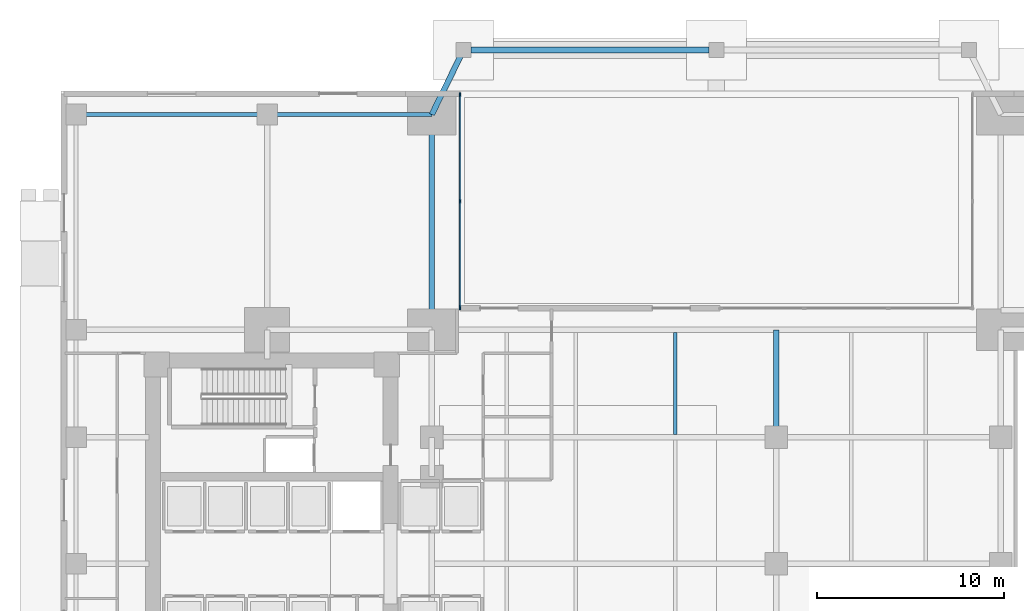
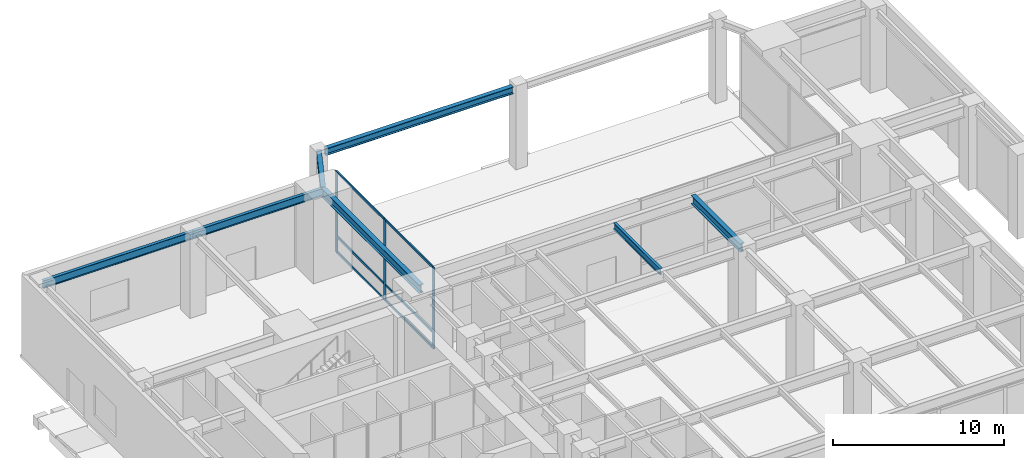
# One storey, part 6 of 17: 9 members, 7 beams, 1 element without a shape of its own.
"""IFC4 building model written with IfcOpenShell, lengths in metres."""

import ifcopenshell
import ifcopenshell.guid

model = None  # the IFC model being written
_history = None  # IfcOwnerHistory: only IFC2X3 demands one
_inside = {}  # id of a spatial element -> (the spatial element, [elements in it])
_under = {}  # id of a project, library or spatial element -> (it, [spatial elements below it])
_declared = {}  # id of a project -> (the project, [libraries it declares])
_typed = {}  # id of a type object -> (the type object, [elements of that type])
_made_of = {}  # id of a material, layer set ... -> (it, [elements and type objects made of it])


def new_model(schema):
    """Start an empty IFC model of exactly this schema.

    Asked for "IFC4X3", IfcOpenShell would pick the latest addendum, in which some entities
    have other attributes; the version numbers below select the first issue.
    IFC2X3 requires an IfcOwnerHistory on every rooted entity: one is made here for all.
    """
    global model, _history
    if schema == "IFC4X3":
        model = ifcopenshell.file(schema_version=(4, 3, 0, 0))
    else:
        model = ifcopenshell.file(schema=schema)
    _inside.clear()
    _under.clear()
    _declared.clear()
    _typed.clear()
    _made_of.clear()
    _history = None
    if model.schema == "IFC2X3":
        org = make("IfcOrganization", Name="unknown")
        user = make(
            "IfcPersonAndOrganization",
            ThePerson=make("IfcPerson", FamilyName="unknown"),
            TheOrganization=org,
        )
        app = make(
            "IfcApplication",
            ApplicationDeveloper=org,
            Version="unknown",
            ApplicationFullName="unknown",
            ApplicationIdentifier="unknown",
        )
        _history = make(
            "IfcOwnerHistory",
            OwningUser=user,
            OwningApplication=app,
            ChangeAction="ADDED",
            CreationDate=0,
        )
    return model


def make(cls, **values):
    """One entity of the class cls with the attributes given. An attribute that is None is left unset."""
    return model.create_entity(
        cls, **{name: value for name, value in values.items() if value is not None}
    )


def rooted(cls, **values):
    """An entity with a GlobalId (a new one), such as an element, a storey or a relation."""
    return make(cls, GlobalId=ifcopenshell.guid.new(), OwnerHistory=_history, **values)


def si_unit(unit_type, name, prefix=None):
    """IfcSIUnit, for example si_unit("LENGTHUNIT", "METRE", prefix="MILLI")."""
    return make("IfcSIUnit", UnitType=unit_type, Prefix=prefix, Name=name)


def assignment(units):
    """IfcUnitAssignment: the units of a project."""
    return None if units is None else make("IfcUnitAssignment", Units=units)


def point(xyz):
    """IfcCartesianPoint."""
    return None if xyz is None else make("IfcCartesianPoint", Coordinates=xyz)


def direction(xyz):
    """IfcDirection."""
    return None if xyz is None else make("IfcDirection", DirectionRatios=xyz)


def frame(location, z_axis=None, x_axis=None):
    """IfcAxis2Placement3D, a coordinate frame: its origin and axes. An axis left out is left unset."""
    return make(
        "IfcAxis2Placement3D",
        Location=point(location),
        Axis=direction(z_axis),
        RefDirection=direction(x_axis),
    )


def frame_2d(location, x_axis=None):
    """IfcAxis2Placement2D, a coordinate frame in the plane: its origin and x axis."""
    return make(
        "IfcAxis2Placement2D", Location=point(location), RefDirection=direction(x_axis)
    )


def origin():
    """The frame at (0, 0, 0) with its axes left unset."""
    return frame((0.0, 0.0, 0.0))


def origin_2d():
    """The frame at (0, 0) in the plane with its x axis left unset."""
    return frame_2d((0.0, 0.0))


def place(relative_to, where):
    """IfcLocalPlacement: puts the frame where relative to a parent placement (None: the world)."""
    return make(
        "IfcLocalPlacement", PlacementRelTo=relative_to, RelativePlacement=where
    )


def context(
    kind, dimensions, precision=None, world=None, true_north=None, identifier=None
):
    """IfcGeometricRepresentationContext, for example the 3D "Model" context."""
    return make(
        "IfcGeometricRepresentationContext",
        ContextIdentifier=identifier,
        ContextType=kind,
        CoordinateSpaceDimension=dimensions,
        Precision=precision,
        WorldCoordinateSystem=world,
        TrueNorth=true_north,
    )


def subcontext(parent, identifier, kind, view, scale=None):
    """IfcGeometricRepresentationSubContext, for example "Body" below "Model"."""
    return make(
        "IfcGeometricRepresentationSubContext",
        ContextIdentifier=identifier,
        ContextType=kind,
        ParentContext=parent,
        TargetScale=scale,
        TargetView=view,
    )


def project(units=None, contexts=None):
    """IfcProject with its units and contexts."""
    return rooted(
        "IfcProject",
        Name="project",
        RepresentationContexts=contexts,
        UnitsInContext=assignment(units),
    )


def spatial(cls, under=None, at=None, **own):
    """A site, building, storey or space (cls), placed at a placement, below another one or the project."""
    s = rooted(cls, ObjectPlacement=at, **own)
    if under is not None:
        _under.setdefault(under.id(), (under, []))[1].append(s)
    return s


def profile(cls, at=None, kind="AREA", **sizes):
    """A parametric profile (cls). Its sizes go by their IFC names, for example OverallWidth=200.0."""
    return make(cls, ProfileType=kind, Position=at, **sizes)


def rectangle(**sizes):
    """IfcRectangleProfileDef."""
    return profile("IfcRectangleProfileDef", **sizes)


def i_section(**sizes):
    """IfcIShapeProfileDef."""
    return profile("IfcIShapeProfileDef", **sizes)


def extrude(swept, where, along, depth):
    """IfcExtrudedAreaSolid: the profile swept, set in the frame where, extruded along a direction by depth."""
    return make(
        "IfcExtrudedAreaSolid",
        SweptArea=swept,
        Position=where,
        ExtrudedDirection=direction(along),
        Depth=depth,
    )


def shape(context_of_items, identifier, shape_type, items):
    """IfcShapeRepresentation: the items that make up one representation, for example the "Body"."""
    return make(
        "IfcShapeRepresentation",
        ContextOfItems=context_of_items,
        RepresentationIdentifier=identifier,
        RepresentationType=shape_type,
        Items=items,
    )


def material(Name=None, Category=None):
    """IfcMaterial."""
    return make("IfcMaterial", Name=Name, Category=Category)


def layer(
    of_material, thickness, ventilated=None, Name=None, Category=None, Priority=None
):
    """IfcMaterialLayer: one layer of a wall or slab, of a material (None: an air gap)."""
    return make(
        "IfcMaterialLayer",
        Material=of_material,
        LayerThickness=thickness,
        IsVentilated=ventilated,
        Name=Name,
        Category=Category,
        Priority=Priority,
    )


def layer_set(layers, Name=None):
    """IfcMaterialLayerSet."""
    return make("IfcMaterialLayerSet", MaterialLayers=layers, LayerSetName=Name)


def material_profile(
    of_material, cross_section, Name=None, Category=None, Priority=None
):
    """IfcMaterialProfile: a cross section and its material."""
    return make(
        "IfcMaterialProfile",
        Name=Name,
        Material=of_material,
        Profile=cross_section,
        Priority=Priority,
        Category=Category,
    )


def profile_set(profiles, Name=None, composite=None):
    """IfcMaterialProfileSet."""
    return make(
        "IfcMaterialProfileSet",
        Name=Name,
        MaterialProfiles=profiles,
        CompositeProfile=composite,
    )


def made_of(thing, what):
    """Note that an element or type object is made of a material, layer set ...; save() writes the relation."""
    if what is not None:
        _made_of.setdefault(what.id(), (what, []))[1].append(thing)
    return thing


def type_object(cls, material=None, **own):
    """A type object (cls), such as IfcWallType, which elements share."""
    return made_of(rooted(cls, **own), material)


def element(
    cls,
    number,
    at=None,
    inside=None,
    cuts=None,
    type_object=None,
    material=None,
    context=None,
    identifier="Body",
    shape_type=None,
    held_by="IfcProductDefinitionShape",
    body=None,
    shapes=None,
    **own,
):
    """One element of the class cls, such as IfcWall. Its Tag is "e" and its number.

    at: its placement. inside: the storey or other place that contains it. cuts: it is an
    opening in that element (IfcRelVoidsElement). A single representation is given by context,
    identifier, shape_type and body (its items); several are given by shapes. held_by: the class
    of the entity that holds the representations. save() writes the other relations.
    """
    e = rooted(cls, Tag="e%d" % number, ObjectPlacement=at, **own)
    if body is not None:
        shapes = [shape(context, identifier, shape_type, body)]
    if shapes is not None:
        e.Representation = make(held_by, Representations=shapes)
    if inside is not None:
        _inside.setdefault(inside.id(), (inside, []))[1].append(e)
    if cuts is not None:
        rooted(
            "IfcRelVoidsElement", RelatingBuildingElement=cuts, RelatedOpeningElement=e
        )
    if type_object is not None:
        _typed.setdefault(type_object.id(), (type_object, []))[1].append(e)
    return made_of(e, material)


def aggregate(whole, parts):
    """IfcRelAggregates: a whole, such as a stair, and the parts it consists of."""
    return rooted("IfcRelAggregates", RelatingObject=whole, RelatedObjects=parts)


def save(model, path):
    """Write the relations noted so far, then the file.

    IfcRelAggregates (storeys below a building ...), IfcRelContainedInSpatialStructure (elements
    in a storey), IfcRelDefinesByType, IfcRelAssociatesMaterial and IfcRelDeclares: one each for
    every whole, place, type object, material and project.
    """
    for whole, parts in _under.values():
        aggregate(whole, parts)
    for where, things in _inside.values():
        rooted(
            "IfcRelContainedInSpatialStructure",
            RelatedElements=things,
            RelatingStructure=where,
        )
    for kind, things in _typed.values():
        rooted("IfcRelDefinesByType", RelatedObjects=things, RelatingType=kind)
    for what, things in _made_of.values():
        rooted("IfcRelAssociatesMaterial", RelatedObjects=things, RelatingMaterial=what)
    for by, libraries in _declared.values():
        rooted("IfcRelDeclares", RelatingContext=by, RelatedDefinitions=libraries)
    model.write(path)


model = new_model("IFC4")

# Units and contexts
model_context = context("Model", 3, precision=1e-05, world=origin(), true_north=direction((0.0, 1.0)))
body_context = subcontext(model_context, "Body", "Model", "MODEL_VIEW")
ifc_project = project(units=[si_unit("LENGTHUNIT", "METRE"), si_unit("AREAUNIT", "SQUARE_METRE"), si_unit("VOLUMEUNIT", "CUBIC_METRE"), si_unit("PLANEANGLEUNIT", "RADIAN"), si_unit("MASSUNIT", "GRAM", prefix="KILO")], contexts=[model_context])

# Site, building, storey
site_placement = place(None, origin())
site = spatial("IfcSite", under=ifc_project, at=site_placement, CompositionType="ELEMENT")
building_placement = place(site_placement, origin())
building = spatial("IfcBuilding", under=site, at=building_placement, Name="Kinhvarn Gate Tower", CompositionType="ELEMENT")
storey_placement = place(building_placement, origin())
storey = spatial("IfcBuildingStorey", under=building, at=storey_placement, Name="L00", CompositionType="ELEMENT", Elevation=0.0)

# Curtain wall, members
ifc_material_1 = material(Name="Anodised aluminium AW-6063", Category="aluminium")
ifc_layer = layer(ifc_material_1, 0.219970703125)
ifc_layer_set = layer_set([ifc_layer], Name="Anodised aluminium AW-6063")
curtain_wall_type = type_object("IfcCurtainWallType", Name="CW-SYS-1", PredefinedType="NOTDEFINED", material=ifc_layer_set)
curtain_wall_placement = place(storey_placement, origin())
curtain_wall = element("IfcCurtainWall", 1, at=curtain_wall_placement, inside=storey, type_object=curtain_wall_type, Name="Curtain Wall CW1 (L00)", PredefinedType="NOTDEFINED")
ifc_material_profile_1 = material_profile(ifc_material_1, rectangle(XDim=0.080078125, YDim=0.219970703125, at=origin_2d()), Name="ALU 80x220")
ifc_profile_set_1 = profile_set([ifc_material_profile_1], Name="Anodised aluminium AW-6063")
member_type_1 = type_object("IfcMemberType", Name="CW-MUL-220", PredefinedType="MULLION", material=ifc_profile_set_1)
member_1_placement = place(storey_placement, frame((21.31005859375, 38.93994140625, 0.0), z_axis=(0.0, 0.0, 1.0), x_axis=(-1.0, 0.0, 0.0)))
member_1 = element("IfcMember", 2, at=member_1_placement, type_object=member_type_1, Name="CW1 mullion 1", PredefinedType="MULLION", context=body_context, shape_type="SweptSolid", body=[
    extrude(rectangle(XDim=0.080078125, YDim=0.219970703125, at=origin_2d()), origin(), (0.0, 0.0, 1.0), 5.800048828125),
])
member_2_placement = place(storey_placement, frame((21.31005859375, 44.625, 0.0), z_axis=(0.0, 0.0, 1.0), x_axis=(-1.0, 0.0, 0.0)))
member_2 = element("IfcMember", 3, at=member_2_placement, type_object=member_type_1, Name="CW1 mullion 2", PredefinedType="MULLION", context=body_context, shape_type="SweptSolid", body=[
    extrude(rectangle(XDim=0.080078125, YDim=0.219970703125, at=origin_2d()), origin(), (0.0, 0.0, 1.0), 5.800048828125),
])
member_3_placement = place(storey_placement, frame((21.31005859375, 50.31005859375, 0.0), z_axis=(0.0, 0.0, 1.0), x_axis=(-1.0, 0.0, 0.0)))
member_3 = element("IfcMember", 4, at=member_3_placement, type_object=member_type_1, Name="CW1 mullion 3", PredefinedType="MULLION", context=body_context, shape_type="SweptSolid", body=[
    extrude(rectangle(XDim=0.080078125, YDim=0.219970703125, at=origin_2d()), origin(), (0.0, 0.0, 1.0), 5.800048828125),
])
ifc_material_profile_2 = material_profile(ifc_material_1, rectangle(XDim=0.080078125, YDim=0.159912109375, at=origin_2d()), Name="ALU 80x160")
ifc_profile_set_2 = profile_set([ifc_material_profile_2], Name="Anodised aluminium AW-6063")
member_type_2 = type_object("IfcMemberType", Name="CW-TRN-160", PredefinedType="USERDEFINED", material=ifc_profile_set_2)
member_4_placement = place(storey_placement, frame((21.31005859375, 38.97998046875, 0.0400390625), z_axis=(0.0, 1.0, 0.0), x_axis=(-1.0, 0.0, 0.0)))
member_4 = element("IfcMember", 5, at=member_4_placement, type_object=member_type_2, Name="CW1 transom 1.1", ObjectType="TRANSOM", PredefinedType="USERDEFINED", context=body_context, shape_type="SweptSolid", body=[
    extrude(rectangle(XDim=0.080078125, YDim=0.159912109375, at=origin_2d()), origin(), (0.0, 0.0, 1.0), 5.60498046875),
])
member_5_placement = place(storey_placement, frame((21.31005859375, 38.97998046875, 1.14990234375), z_axis=(0.0, 1.0, 0.0), x_axis=(-1.0, 0.0, 0.0)))
member_5 = element("IfcMember", 6, at=member_5_placement, type_object=member_type_2, Name="CW1 transom 1.2", ObjectType="TRANSOM", PredefinedType="USERDEFINED", context=body_context, shape_type="SweptSolid", body=[
    extrude(rectangle(XDim=0.080078125, YDim=0.159912109375, at=origin_2d()), origin(), (0.0, 0.0, 1.0), 5.60498046875),
])
member_6_placement = place(storey_placement, frame((21.31005859375, 38.97998046875, 5.760009765625), z_axis=(0.0, 1.0, 0.0), x_axis=(-1.0, 0.0, 0.0)))
member_6 = element("IfcMember", 7, at=member_6_placement, type_object=member_type_2, Name="CW1 transom 1.3", ObjectType="TRANSOM", PredefinedType="USERDEFINED", context=body_context, shape_type="SweptSolid", body=[
    extrude(rectangle(XDim=0.080078125, YDim=0.159912109375, at=origin_2d()), origin(), (0.0, 0.0, 1.0), 5.60498046875),
])
member_7_placement = place(storey_placement, frame((21.31005859375, 44.6650390625, 0.0400390625), z_axis=(0.0, 1.0, 0.0), x_axis=(-1.0, 0.0, 0.0)))
member_7 = element("IfcMember", 8, at=member_7_placement, type_object=member_type_2, Name="CW1 transom 2.1", ObjectType="TRANSOM", PredefinedType="USERDEFINED", context=body_context, shape_type="SweptSolid", body=[
    extrude(rectangle(XDim=0.080078125, YDim=0.159912109375, at=origin_2d()), origin(), (0.0, 0.0, 1.0), 5.60498046875),
])
member_8_placement = place(storey_placement, frame((21.31005859375, 44.6650390625, 1.14990234375), z_axis=(0.0, 1.0, 0.0), x_axis=(-1.0, 0.0, 0.0)))
member_8 = element("IfcMember", 9, at=member_8_placement, type_object=member_type_2, Name="CW1 transom 2.2", ObjectType="TRANSOM", PredefinedType="USERDEFINED", context=body_context, shape_type="SweptSolid", body=[
    extrude(rectangle(XDim=0.080078125, YDim=0.159912109375, at=origin_2d()), origin(), (0.0, 0.0, 1.0), 5.60498046875),
])
member_9_placement = place(storey_placement, frame((21.31005859375, 44.6650390625, 5.760009765625), z_axis=(0.0, 1.0, 0.0), x_axis=(-1.0, 0.0, 0.0)))
member_9 = element("IfcMember", 10, at=member_9_placement, type_object=member_type_2, Name="CW1 transom 2.3", ObjectType="TRANSOM", PredefinedType="USERDEFINED", context=body_context, shape_type="SweptSolid", body=[
    extrude(rectangle(XDim=0.080078125, YDim=0.159912109375, at=origin_2d()), origin(), (0.0, 0.0, 1.0), 5.60498046875),
])
aggregate(curtain_wall, [member_1, member_2, member_3, member_4, member_5, member_6, member_7, member_8, member_9])

# Beams
ifc_material_2 = material(Name="Steel S355", Category="steel")
ifc_material_profile_3 = material_profile(ifc_material_2, i_section(OverallWidth=0.300048828125, OverallDepth=0.5, WebThickness=0.014404296875, FlangeThickness=0.028076171875, at=origin_2d()), Name="HEB 500")
ifc_profile_set_3 = profile_set([ifc_material_profile_3], Name="Steel S355")
beam_type_1 = type_object("IfcBeamType", Name="STL-HEB500", PredefinedType="BEAM", material=ifc_profile_set_3)
beam_1_placement = place(storey_placement, frame((21.89990234375, 52.699951171875, 5.550048828125), z_axis=(1.0, 0.0, 0.0), x_axis=(0.0, 1.0, 0.0)))
element("IfcBeam", 11, at=beam_1_placement, inside=storey, type_object=beam_type_1, Name="Portico Canopy Front Girder N-1", PredefinedType="BEAM", context=body_context, shape_type="SweptSolid", body=[
    extrude(i_section(OverallWidth=0.300048828125, OverallDepth=0.5, WebThickness=0.014404296875, FlangeThickness=0.028076171875, at=origin_2d()), origin(), (0.0, 0.0, 1.0), 12.7001953125),
])
beam_2_placement = place(storey_placement, frame((21.5, 52.699951171875, 5.550048828125), z_axis=(-0.442000785414, -0.897014663031, 0.0), x_axis=(0.897014663031, -0.442000785414, 0.0)))
element("IfcBeam", 12, at=beam_2_placement, inside=storey, type_object=beam_type_1, Name="Portico Canopy West Tie Girder N", PredefinedType="BEAM", context=body_context, shape_type="SweptSolid", body=[
    extrude(i_section(OverallWidth=0.300048828125, OverallDepth=0.5, WebThickness=0.014404296875, FlangeThickness=0.028076171875, at=origin_2d()), origin(), (0.0, 0.0, 1.0), 3.845947265625),
])
ifc_material_profile_4 = material_profile(ifc_material_2, i_section(OverallWidth=0.300048828125, OverallDepth=0.60009765625, WebThickness=0.015380859375, FlangeThickness=0.030029296875, at=origin_2d()), Name="HEB 600")
ifc_profile_set_4 = profile_set([ifc_material_profile_4], Name="Steel S355")
beam_type_2 = type_object("IfcBeamType", Name="STL-HEB600", PredefinedType="BEAM", material=ifc_profile_set_4)
beam_3_placement = place(storey_placement, frame((19.800048828125, 37.75, 5.5), z_axis=(0.0, 1.0, 0.0), x_axis=(-1.0, 0.0, 0.0)))
element("IfcBeam", 13, at=beam_3_placement, inside=storey, type_object=beam_type_2, Name="Floor Beam PG-16 (L00 APW-7)", PredefinedType="BEAM", context=body_context, shape_type="SweptSolid", body=[
    extrude(i_section(OverallWidth=0.300048828125, OverallDepth=0.60009765625, WebThickness=0.015380859375, FlangeThickness=0.030029296875, at=origin_2d()), origin(), (0.0, 0.0, 1.0), 11.5),
])
beam_4_placement = place(storey_placement, frame((38.199951171875, 32.0, 5.5), z_axis=(0.0, 1.0, 0.0), x_axis=(-1.0, 0.0, 0.0)))
element("IfcBeam", 14, at=beam_4_placement, inside=storey, type_object=beam_type_2, Name="Floor Beam PG-16 (L00 POD-NS38-32)", PredefinedType="BEAM", context=body_context, shape_type="SweptSolid", body=[
    extrude(i_section(OverallWidth=0.300048828125, OverallDepth=0.60009765625, WebThickness=0.015380859375, FlangeThickness=0.030029296875, at=origin_2d()), origin(), (0.0, 0.0, 1.0), 5.75),
])
ifc_material_profile_5 = material_profile(ifc_material_2, i_section(OverallWidth=0.18994140625, OverallDepth=0.449951171875, WebThickness=0.009521484375, FlangeThickness=0.0146484375, at=origin_2d()), Name="IPE 450")
ifc_profile_set_5 = profile_set([ifc_material_profile_5], Name="Steel S355")
beam_type_3 = type_object("IfcBeamType", Name="STL-IPE450", PredefinedType="JOIST", material=ifc_profile_set_5)
beam_5_placement = place(storey_placement, frame((32.800048828125, 32.14990234375, 5.574951171875), z_axis=(0.0, 1.0, 0.0), x_axis=(-1.0, 0.0, 0.0)))
element("IfcBeam", 15, at=beam_5_placement, inside=storey, type_object=beam_type_3, Name="Floor Joist SB-06 (L00 POD-J328-32)", PredefinedType="JOIST", context=body_context, shape_type="SweptSolid", body=[
    extrude(i_section(OverallWidth=0.18994140625, OverallDepth=0.449951171875, WebThickness=0.009521484375, FlangeThickness=0.0146484375, at=origin_2d()), origin(), (0.0, 0.0, 1.0), 5.4501953125),
])
ifc_material_profile_6 = material_profile(ifc_material_2, i_section(OverallWidth=0.2099609375, OverallDepth=0.550048828125, WebThickness=0.010986328125, FlangeThickness=0.01708984375, at=origin_2d()), Name="IPE 550")
ifc_profile_set_6 = profile_set([ifc_material_profile_6], Name="Steel S355")
beam_type_4 = type_object("IfcBeamType", Name="STL-IPE550", PredefinedType="SPANDREL", material=ifc_profile_set_6)
beam_6_placement = place(storey_placement, frame((0.800048828125, 49.25, 5.52490234375), z_axis=(1.0, 0.0, 0.0), x_axis=(0.0, 1.0, 0.0)))
element("IfcBeam", 16, at=beam_6_placement, inside=storey, type_object=beam_type_4, Name="Floor Spandrel SB-08 (L00 SP-POD-NW1)", PredefinedType="SPANDREL", context=body_context, shape_type="SweptSolid", body=[
    extrude(i_section(OverallWidth=0.2099609375, OverallDepth=0.550048828125, WebThickness=0.010986328125, FlangeThickness=0.01708984375, at=origin_2d()), origin(), (0.0, 0.0, 1.0), 10.199951171875),
])
beam_7_placement = place(storey_placement, frame((11.0, 49.25, 5.52490234375), z_axis=(1.0, 0.0, 0.0), x_axis=(0.0, 1.0, 0.0)))
element("IfcBeam", 17, at=beam_7_placement, inside=storey, type_object=beam_type_4, Name="Floor Spandrel SB-08 (L00 SP-POD-NW2)", PredefinedType="SPANDREL", context=body_context, shape_type="SweptSolid", body=[
    extrude(i_section(OverallWidth=0.2099609375, OverallDepth=0.550048828125, WebThickness=0.010986328125, FlangeThickness=0.01708984375, at=origin_2d()), origin(), (0.0, 0.0, 1.0), 8.800048828125),
])

save(model, "model.ifc")
